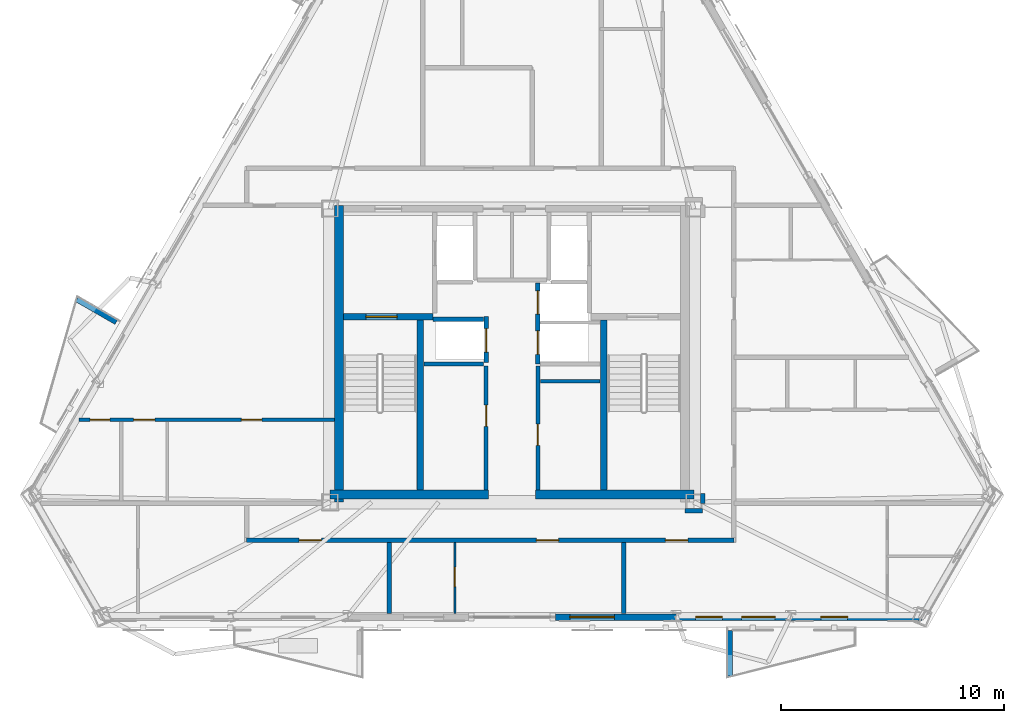
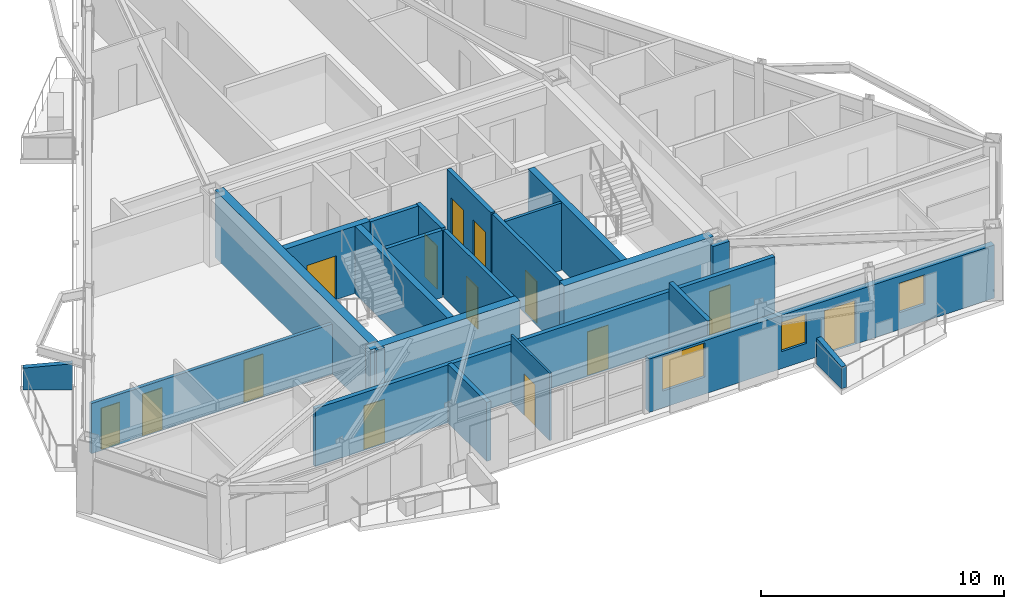
# One storey, part 6 of 12: 23 walls, 14 doors, 3 windows, 17 openings.
"""IFC4 building model written with IfcOpenShell, lengths in metres."""

from ifc_helpers import new_model, si_unit, direction, frame, frame_2d, origin, place, context, subcontext, project, spatial, polyline, rectangle, outline, extrude, material, layer, layer_set, type_object, element, fill, save


model = new_model("IFC4")

# Units and contexts
model_context = context("Model", 3, precision=1e-05, world=origin(), true_north=direction((0.0, 1.0)))
body_context = subcontext(model_context, "Body", "Model", "MODEL_VIEW")
ifc_project = project(units=[si_unit("LENGTHUNIT", "METRE"), si_unit("AREAUNIT", "SQUARE_METRE"), si_unit("VOLUMEUNIT", "CUBIC_METRE"), si_unit("PLANEANGLEUNIT", "RADIAN"), si_unit("MASSUNIT", "GRAM", prefix="KILO")], contexts=[model_context])

# Site, building, storey
site_placement = place(None, origin())
site = spatial("IfcSite", under=ifc_project, at=site_placement, CompositionType="ELEMENT")
building_placement = place(site_placement, origin())
building = spatial("IfcBuilding", under=site, at=building_placement, Name="Oramaril Tower", CompositionType="ELEMENT")
storey_placement = place(building_placement, frame((0.0, 0.0, 227.10009765625)))
storey = spatial("IfcBuildingStorey", under=building, at=storey_placement, Name="L60", CompositionType="ELEMENT", Elevation=227.10009765625)

# Wall, openings, door, windows
ifc_material_1 = material(Name="Warm Cream Limestone", Category="masonry")
ifc_layer_1 = layer(ifc_material_1, 0.2900390625)
ifc_layer_set_1 = layer_set([ifc_layer_1], Name="WT-EXT29")
wall_type_1 = type_object("IfcWallType", Name="WT-EXT29", PredefinedType="SOLIDWALL", material=ifc_layer_set_1)
wall_1_placement = place(storey_placement, frame((39.449951171875, 5.849365234375, 0.0), z_axis=(0.0, 0.0, 1.0), x_axis=(1.0, 0.0, 0.0)))
wall_1 = element("IfcWall", 1, at=wall_1_placement, inside=storey, type_object=wall_type_1, Name="L60 Tower Limestone Facade Wall 2R", PredefinedType="SOLIDWALL", context=body_context, shape_type="SweptSolid", body=[
    extrude(rectangle(XDim=16.4208984375, YDim=0.2900390625, at=frame_2d((8.21044921875, 0.0))), origin(), (0.0, 0.0, 1.0), 2.677001953125),
])
opening_1_placement = place(wall_1_placement, frame((8.341552734375, 0.0, 0.0)))
opening_1 = element("IfcOpeningElement", 2, at=opening_1_placement, cuts=wall_1, Name="Opening D-L60-BAL-S2", PredefinedType="OPENING", context=body_context, shape_type="SweptSolid", body=[
    extrude(rectangle(XDim=1.5, YDim=2.199951171875, at=frame_2d((0.75, 1.10009765625))), frame((0.0, 0.14501953125, 0.0), z_axis=(0.0, -1.0, 0.0), x_axis=(1.0, 0.0, 0.0)), (0.0, 0.0, 1.0), 0.2900390625),
])
opening_2_placement = place(wall_1_placement, frame((0.645263671875, 0.0, 0.85009765625)))
opening_2 = element("IfcOpeningElement", 3, at=opening_2_placement, cuts=wall_1, Name="Opening WN-05", PredefinedType="OPENING", context=body_context, shape_type="SweptSolid", body=[
    extrude(rectangle(XDim=2.0, YDim=1.717041015625, at=frame_2d((1.0, 0.8583984375))), frame((0.0, 0.14501953125, 0.0), z_axis=(0.0, -1.0, 0.0), x_axis=(1.0, 0.0, 0.0)), (0.0, 0.0, 1.0), 0.2900390625),
])
opening_3_placement = place(wall_1_placement, frame((6.287109375, 0.0, 0.85009765625)))
opening_3 = element("IfcOpeningElement", 4, at=opening_3_placement, cuts=wall_1, Name="Opening WN-09", PredefinedType="OPENING", context=body_context, shape_type="SweptSolid", body=[
    extrude(rectangle(XDim=1.199951171875, YDim=1.47998046875, at=frame_2d((0.60009765625, 0.739990234375))), frame((0.0, 0.14501953125, 0.0), z_axis=(0.0, -1.0, 0.0), x_axis=(1.0, 0.0, 0.0)), (0.0, 0.0, 1.0), 0.2900390625),
])
opening_4_placement = place(wall_1_placement, frame((11.902587890625, 0.0, 0.85009765625)))
opening_4 = element("IfcOpeningElement", 5, at=opening_4_placement, cuts=wall_1, Name="Opening WN-09", PredefinedType="OPENING", context=body_context, shape_type="SweptSolid", body=[
    extrude(rectangle(XDim=1.199951171875, YDim=1.47998046875, at=frame_2d((0.60009765625, 0.739990234375))), frame((0.0, 0.14501953125, 0.0), z_axis=(0.0, -1.0, 0.0), x_axis=(1.0, 0.0, 0.0)), (0.0, 0.0, 1.0), 0.2900390625),
])
ifc_material_2 = material(Name="Anodised Aluminium 6063-T6", Category="aluminium")
door_type_1 = type_object("IfcDoorType", Name="DT-BAL", OperationType="NOTDEFINED", PredefinedType="DOOR", material=ifc_material_2)
door_1_placement = place(opening_1_placement, origin())
door_1 = element("IfcDoor", 6, at=door_1_placement, inside=storey, type_object=door_type_1, Name="L60 Balcony Glazed Door L60-BAL-S2", OperationType="SINGLE_SWING_RIGHT", OverallHeight=2.199951171875, OverallWidth=1.5, PredefinedType="DOOR", context=body_context, shape_type="SweptSolid", body=[
    extrude(rectangle(XDim=1.5, YDim=2.199951171875, at=frame_2d((0.75, 1.10009765625))), frame((0.0, 0.02490234375, 0.0), z_axis=(0.0, -1.0, 0.0), x_axis=(1.0, 0.0, 0.0)), (0.0, 0.0, 1.0), 0.050048828125),
])
fill(opening_1, door_1)
ifc_material_3 = material(Name="Coastal Low-E Insulated Glass", Category="glass")
window_type_1 = type_object("IfcWindowType", Name="WNT-05", PartitioningType="SINGLE_PANEL", PredefinedType="WINDOW", material=ifc_material_3)
window_1_placement = place(opening_2_placement, origin())
window_1 = element("IfcWindow", 7, at=window_1_placement, inside=storey, type_object=window_type_1, Name="L60 Chicago Bay Window WN-05", OverallHeight=1.717041015625, OverallWidth=2.0, PartitioningType="SINGLE_PANEL", PredefinedType="WINDOW", context=body_context, shape_type="SweptSolid", body=[
    extrude(rectangle(XDim=2.0, YDim=1.717041015625, at=frame_2d((1.0, 0.8583984375))), frame((0.0, 0.030029296875, 0.0), z_axis=(0.0, -1.0, 0.0), x_axis=(1.0, 0.0, 0.0)), (0.0, 0.0, 1.0), 0.06005859375),
])
fill(opening_2, window_1)
ifc_material_4 = material(Name="Coastal Low-E Insulated Glass", Category="glass")
window_type_2 = type_object("IfcWindowType", Name="WNT-09", PartitioningType="SINGLE_PANEL", PredefinedType="WINDOW", material=ifc_material_4)
window_2_placement = place(opening_3_placement, origin())
window_2 = element("IfcWindow", 8, at=window_2_placement, inside=storey, type_object=window_type_2, Name="L60 Chicago Bay Window WN-09", OverallHeight=1.47998046875, OverallWidth=1.199951171875, PartitioningType="SINGLE_PANEL", PredefinedType="WINDOW", context=body_context, shape_type="SweptSolid", body=[
    extrude(rectangle(XDim=1.199951171875, YDim=1.47998046875, at=frame_2d((0.60009765625, 0.739990234375))), frame((0.0, 0.030029296875, 0.0), z_axis=(0.0, -1.0, 0.0), x_axis=(1.0, 0.0, 0.0)), (0.0, 0.0, 1.0), 0.06005859375),
])
fill(opening_3, window_2)
window_3_placement = place(opening_4_placement, origin())
window_3 = element("IfcWindow", 9, at=window_3_placement, inside=storey, type_object=window_type_2, Name="L60 Chicago Bay Window WN-09", OverallHeight=1.47998046875, OverallWidth=1.199951171875, PartitioningType="SINGLE_PANEL", PredefinedType="WINDOW", context=body_context, shape_type="SweptSolid", body=[
    extrude(rectangle(XDim=1.199951171875, YDim=1.47998046875, at=frame_2d((0.60009765625, 0.739990234375))), frame((0.0, 0.030029296875, 0.0), z_axis=(0.0, -1.0, 0.0), x_axis=(1.0, 0.0, 0.0)), (0.0, 0.0, 1.0), 0.06005859375),
])
fill(opening_4, window_3)

# Walls
ifc_material_5 = material(Name="Concrete C40/50", Category="concrete")
ifc_layer_2 = layer(ifc_material_5, 0.22998046875)
ifc_layer_set_2 = layer_set([ifc_layer_2], Name="WT-PRP23")
wall_type_2 = type_object("IfcWallType", Name="WT-PRP23", PredefinedType="PARAPET", material=ifc_layer_set_2)
for number, where, z_axis, x_axis, name in (
    (10, (47.2666015625, 5.251220703125, 0.0), (0.0, 0.0, 1.0), (0.0, -1.0, 0.0), "L60 Trapezoidal Balcony Frame Cheek L60-BAL-S2-L"),
    (11, (19.75732421875, 19.066162109375, 0.0), (0.0, 0.0, 1.0), (-0.866012356593, 0.500022597718, 0.0), "L60 Trapezoidal Balcony Frame Cheek L60-BAL-NW2-L"),
):
    element("IfcWall", number, at=place(storey_placement, frame(where, z_axis=z_axis, x_axis=x_axis)), inside=storey, type_object=wall_type_2, Name=name, PredefinedType="PARAPET", context=body_context, shape_type="SweptSolid", body=[
        extrude(outline(polyline([(0.0, 0.0), (2.0419921875, 0.0), (2.0419921875, 1.099853515625), (0.0, 1.31982421875), (0.0, 0.0)])), frame((0.0, 0.114990234375, 0.0), z_axis=(0.0, -1.0, 0.0), x_axis=(1.0, 0.0, 0.0)), (0.0, 0.0, 1.0), 0.22998046875),
    ])

# Wall, opening, door
ifc_material_6 = material(Name="Acoustic Gypsum Board Partition")
ifc_layer_3 = layer(ifc_material_6, 0.10009765625)
ifc_layer_set_3 = layer_set([ifc_layer_3], Name="WT-PT10")
wall_type_3 = type_object("IfcWallType", Name="WT-PT10", PredefinedType="PARTITIONING", material=ifc_layer_set_3)
wall_2_placement = place(storey_placement, frame((34.93994140625, 5.998291015625, 0.0), z_axis=(0.0, 0.0, 1.0), x_axis=(0.0, 1.0, 0.0)))
wall_2 = element("IfcWall", 12, at=wall_2_placement, inside=storey, type_object=wall_type_3, Name="L60 Interior Partition PT-10", PredefinedType="PARTITIONING", context=body_context, shape_type="SweptSolid", body=[
    extrude(rectangle(XDim=3.19775390625, YDim=0.10009765625, at=frame_2d((1.598876953125, 0.0))), origin(), (0.0, 0.0, 1.0), 3.3798828125),
])
opening_5_placement = place(wall_2_placement, frame((1.21142578125, 0.0, 0.0)))
opening_5 = element("IfcOpeningElement", 13, at=opening_5_placement, cuts=wall_2, Name="Opening D-L60-19", PredefinedType="OPENING", context=body_context, shape_type="SweptSolid", body=[
    extrude(rectangle(XDim=0.8798828125, YDim=2.080078125, at=frame_2d((0.43994140625, 1.0400390625))), frame((0.0, 0.050048828125, 0.0), z_axis=(0.0, -1.0, 0.0), x_axis=(1.0, 0.0, 0.0)), (0.0, 0.0, 1.0), 0.10009765625),
])
ifc_material_7 = material(Name="FSC Brazilian Freijo Hardwood", Category="wood")
door_type_2 = type_object("IfcDoorType", Name="DT-BATH", OperationType="NOTDEFINED", PredefinedType="DOOR", material=ifc_material_7)
door_2_placement = place(opening_5_placement, origin())
door_2 = element("IfcDoor", 14, at=door_2_placement, inside=storey, type_object=door_type_2, Name="L60 Flat L60-U2 Bathroom Door D-L60-19", OperationType="SINGLE_SWING_LEFT", OverallHeight=2.080078125, OverallWidth=0.8798828125, PredefinedType="DOOR", context=body_context, shape_type="SweptSolid", body=[
    extrude(rectangle(XDim=0.8798828125, YDim=2.080078125, at=frame_2d((0.43994140625, 1.0400390625))), frame((0.0, 0.02490234375, 0.0), z_axis=(0.0, -1.0, 0.0), x_axis=(1.0, 0.0, 0.0)), (0.0, 0.0, 1.0), 0.050048828125),
])
fill(opening_5, door_2)

# Wall
ifc_material_8 = material(Name="Acoustic Gypsum Board Partition")
ifc_layer_4 = layer(ifc_material_8, 0.139892578125)
ifc_layer_set_4 = layer_set([ifc_layer_4], Name="WT-PT14")
wall_type_4 = type_object("IfcWallType", Name="WT-PT14", PredefinedType="PARTITIONING", material=ifc_layer_set_4)
wall_3_placement = place(storey_placement, frame((38.780029296875, 16.419921875, 0.0), z_axis=(0.0, 0.0, 1.0), x_axis=(1.0, 0.0, 0.0)))
element("IfcWall", 15, at=wall_3_placement, inside=storey, type_object=wall_type_4, Name="L60 Freed Shaft North Closure", PredefinedType="PARTITIONING", context=body_context, shape_type="SweptSolid", body=[
    extrude(rectangle(XDim=2.659912109375, YDim=0.139892578125, at=frame_2d((1.330078125, 0.0))), origin(), (0.0, 0.0, 1.0), 3.3798828125),
])

# Wall, openings, doors
ifc_material_9 = material(Name="Acoustic Gypsum Board Partition")
ifc_layer_5 = layer(ifc_material_9, 0.159912109375)
ifc_layer_set_5 = layer_set([ifc_layer_5], Name="WT-PT16")
wall_type_5 = type_object("IfcWallType", Name="WT-PT16", PredefinedType="PARTITIONING", material=ifc_layer_set_5)
wall_4_placement = place(storey_placement, frame((18.093505859375, 14.68994140625, 0.0), z_axis=(0.0, 0.0, 1.0), x_axis=(1.0, 0.0, 0.0)))
wall_4 = element("IfcWall", 16, at=wall_4_placement, inside=storey, type_object=wall_type_5, Name="L60 Interior Partition PT-16", PredefinedType="PARTITIONING", context=body_context, shape_type="SweptSolid", body=[
    extrude(rectangle(XDim=11.4423828125, YDim=0.159912109375, at=frame_2d((5.72119140625, 0.0))), origin(), (0.0, 0.0, 1.0), 2.52001953125),
])
opening_6_placement = place(wall_4_placement, frame((0.4931640625, 0.0, 0.0)))
opening_6 = element("IfcOpeningElement", 17, at=opening_6_placement, cuts=wall_4, Name="Opening D-L60-04", PredefinedType="OPENING", context=body_context, shape_type="SweptSolid", body=[
    extrude(rectangle(XDim=0.8798828125, YDim=2.080078125, at=frame_2d((0.43994140625, 1.0400390625))), frame((0.0, 0.080078125, 0.0), z_axis=(0.0, -1.0, 0.0), x_axis=(1.0, 0.0, 0.0)), (0.0, 0.0, 1.0), 0.159912109375),
])
opening_7_placement = place(wall_4_placement, frame((2.443359375, 0.0, 0.0)))
opening_7 = element("IfcOpeningElement", 18, at=opening_7_placement, cuts=wall_4, Name="Opening D-L60-05", PredefinedType="OPENING", context=body_context, shape_type="SweptSolid", body=[
    extrude(rectangle(XDim=0.949951171875, YDim=2.10009765625, at=frame_2d((0.47509765625, 1.050048828125))), frame((0.0, 0.080078125, 0.0), z_axis=(0.0, -1.0, 0.0), x_axis=(1.0, 0.0, 0.0)), (0.0, 0.0, 1.0), 0.159912109375),
])
opening_8_placement = place(wall_4_placement, frame((7.27001953125, 0.0, 0.0)))
opening_8 = element("IfcOpeningElement", 19, at=opening_8_placement, cuts=wall_4, Name="Opening D-L60-06", PredefinedType="OPENING", context=body_context, shape_type="SweptSolid", body=[
    extrude(rectangle(XDim=0.919921875, YDim=2.1201171875, at=frame_2d((0.4599609375, 1.06005859375))), frame((0.0, 0.080078125, 0.0), z_axis=(0.0, -1.0, 0.0), x_axis=(1.0, 0.0, 0.0)), (0.0, 0.0, 1.0), 0.159912109375),
])
door_3_placement = place(opening_6_placement, origin())
door_3 = element("IfcDoor", 20, at=door_3_placement, inside=storey, type_object=door_type_2, Name="L60 Flat L60-U4 Bathroom Door D-L60-04", OperationType="SINGLE_SWING_RIGHT", OverallHeight=2.080078125, OverallWidth=0.8798828125, PredefinedType="DOOR", context=body_context, shape_type="SweptSolid", body=[
    extrude(rectangle(XDim=0.8798828125, YDim=2.080078125, at=frame_2d((0.43994140625, 1.0400390625))), frame((0.0, 0.02490234375, 0.0), z_axis=(0.0, -1.0, 0.0), x_axis=(1.0, 0.0, 0.0)), (0.0, 0.0, 1.0), 0.050048828125),
])
fill(opening_6, door_3)
ifc_material_10 = material(Name="FSC Brazilian Freijo Hardwood", Category="wood")
door_type_3 = type_object("IfcDoorType", Name="DT-BED", OperationType="NOTDEFINED", PredefinedType="DOOR", material=ifc_material_10)
door_4_placement = place(opening_8_placement, origin())
door_4 = element("IfcDoor", 21, at=door_4_placement, inside=storey, type_object=door_type_3, Name="L60 Flat L60-U4 Master Bedroom Door D-L60-06", OperationType="SINGLE_SWING_RIGHT", OverallHeight=2.1201171875, OverallWidth=0.919921875, PredefinedType="DOOR", context=body_context, shape_type="SweptSolid", body=[
    extrude(rectangle(XDim=0.919921875, YDim=2.1201171875, at=frame_2d((0.4599609375, 1.06005859375))), frame((0.0, 0.02490234375, 0.0), z_axis=(0.0, -1.0, 0.0), x_axis=(1.0, 0.0, 0.0)), (0.0, 0.0, 1.0), 0.050048828125),
])
fill(opening_8, door_4)
ifc_material_11 = material(Name="FSC Brazilian Freijo Hardwood", Category="wood")
door_type_4 = type_object("IfcDoorType", Name="DT-STDY", OperationType="NOTDEFINED", PredefinedType="DOOR", material=ifc_material_11)
door_5_placement = place(opening_7_placement, origin())
door_5 = element("IfcDoor", 22, at=door_5_placement, inside=storey, type_object=door_type_4, Name="L60 Flat L60-U4 Kitchen Door D-L60-05", OperationType="SINGLE_SWING_LEFT", OverallHeight=2.10009765625, OverallWidth=0.949951171875, PredefinedType="DOOR", context=body_context, shape_type="SweptSolid", body=[
    extrude(rectangle(XDim=0.949951171875, YDim=2.10009765625, at=frame_2d((0.47509765625, 1.050048828125))), frame((0.0, 0.02490234375, 0.0), z_axis=(0.0, -1.0, 0.0), x_axis=(1.0, 0.0, 0.0)), (0.0, 0.0, 1.0), 0.050048828125),
])
fill(opening_7, door_5)

# Walls
ifc_material_12 = material(Name="Autoclaved Cellular Concrete Block", Category="concrete")
ifc_layer_6 = layer(ifc_material_12, 0.179931640625)
ifc_layer_set_6 = layer_set([ifc_layer_6], Name="WT-PT18")
wall_type_6 = type_object("IfcWallType", Name="WT-PT18", PredefinedType="PARTITIONING", material=ifc_layer_set_6)
wall_5_placement = place(storey_placement, frame((33.949951171875, 19.199951171875, 0.0), z_axis=(0.0, 0.0, 1.0), x_axis=(1.0, 0.0, 0.0)))
element("IfcWall", 23, at=wall_5_placement, inside=storey, type_object=wall_type_6, Name="L60 High-Rise Lift H1 North Shaft Wall", PredefinedType="PARTITIONING", context=body_context, shape_type="SweptSolid", body=[
    extrude(rectangle(XDim=2.27001953125, YDim=0.179931640625, at=frame_2d((1.135009765625, 0.0))), origin(), (0.0, 0.0, 1.0), 3.3798828125),
])
wall_6_placement = place(storey_placement, frame((33.56005859375, 17.199951171875, 0.0), z_axis=(0.0, 0.0, 1.0), x_axis=(1.0, 0.0, 0.0)))
element("IfcWall", 24, at=wall_6_placement, inside=storey, type_object=wall_type_6, Name="L60 High-Rise Lift H1 South Wall", PredefinedType="PARTITIONING", context=body_context, shape_type="SweptSolid", body=[
    extrude(rectangle(XDim=2.659912109375, YDim=0.179931640625, at=frame_2d((1.330078125, 0.0))), origin(), (0.0, 0.0, 1.0), 3.3798828125),
])

# Wall, opening, door
wall_7_placement = place(storey_placement, frame((36.340087890625, 11.550048828125, 0.0), z_axis=(0.0, 0.0, 1.0), x_axis=(0.0, 1.0, 0.0)))
wall_7 = element("IfcWall", 25, at=wall_7_placement, inside=storey, type_object=wall_type_6, Name="L60 Freed Shaft Study East Wall", PredefinedType="PARTITIONING", context=body_context, shape_type="SweptSolid", body=[
    extrude(rectangle(XDim=5.550048828125, YDim=0.179931640625, at=frame_2d((2.77490234375, 0.0))), origin(), (0.0, 0.0, 1.0), 3.3798828125),
])
opening_9_placement = place(wall_7_placement, frame((2.85009765625, 0.0, 0.0)))
opening_9 = element("IfcOpeningElement", 26, at=opening_9_placement, cuts=wall_7, Name="Opening D-L60-FL1", PredefinedType="OPENING", context=body_context, shape_type="SweptSolid", body=[
    extrude(rectangle(XDim=0.949951171875, YDim=2.10009765625, at=frame_2d((0.47509765625, 1.050048828125))), frame((0.0, 0.08984375, 0.0), z_axis=(0.0, -1.0, 0.0), x_axis=(1.0, 0.0, 0.0)), (0.0, 0.0, 1.0), 0.179931640625),
])
door_6_placement = place(opening_9_placement, origin())
door_6 = element("IfcDoor", 27, at=door_6_placement, inside=storey, type_object=door_type_4, Name="L60 L60 Residents Study Alcove Door", OperationType="SINGLE_SWING_LEFT", OverallHeight=2.10009765625, OverallWidth=0.949951171875, PredefinedType="DOOR", context=body_context, shape_type="SweptSolid", body=[
    extrude(rectangle(XDim=0.949951171875, YDim=2.10009765625, at=frame_2d((0.47509765625, 1.050048828125))), frame((0.0, 0.02490234375, 0.0), z_axis=(0.0, -1.0, 0.0), x_axis=(1.0, 0.0, 0.0)), (0.0, 0.0, 1.0), 0.050048828125),
])
fill(opening_9, door_6)

wall_8_placement = place(storey_placement, frame((38.659912109375, 11.550048828125, 0.0), z_axis=(0.0, 0.0, 1.0), x_axis=(0.0, 1.0, 0.0)))
wall_8 = element("IfcWall", 28, at=wall_8_placement, inside=storey, type_object=wall_type_6, Name="L60 Freed Shaft Alcove West Wall", PredefinedType="PARTITIONING", context=body_context, shape_type="SweptSolid", body=[
    extrude(rectangle(XDim=5.550048828125, YDim=0.179931640625, at=frame_2d((2.77490234375, 0.0))), origin(), (0.0, 0.0, 1.0), 3.3798828125),
])
opening_10_placement = place(wall_8_placement, frame((2.0, 0.0, 0.0)))
opening_10 = element("IfcOpeningElement", 29, at=opening_10_placement, cuts=wall_8, Name="Opening D-L60-FM1", PredefinedType="OPENING", context=body_context, shape_type="SweptSolid", body=[
    extrude(rectangle(XDim=0.949951171875, YDim=2.10009765625, at=frame_2d((0.47509765625, 1.050048828125))), frame((0.0, 0.08984375, 0.0), z_axis=(0.0, -1.0, 0.0), x_axis=(1.0, 0.0, 0.0)), (0.0, 0.0, 1.0), 0.179931640625),
])
door_7_placement = place(opening_10_placement, origin())
door_7 = element("IfcDoor", 30, at=door_7_placement, inside=storey, type_object=door_type_4, Name="L60 L60 Sky Reading Room Door", OperationType="SINGLE_SWING_RIGHT", OverallHeight=2.10009765625, OverallWidth=0.949951171875, PredefinedType="DOOR", context=body_context, shape_type="SweptSolid", body=[
    extrude(rectangle(XDim=0.949951171875, YDim=2.10009765625, at=frame_2d((0.47509765625, 1.050048828125))), frame((0.0, 0.02490234375, 0.0), z_axis=(0.0, -1.0, 0.0), x_axis=(1.0, 0.0, 0.0)), (0.0, 0.0, 1.0), 0.050048828125),
])
fill(opening_10, door_7)

# Wall, openings, doors
ifc_material_13 = material(Name="Autoclaved Cellular Concrete Block", Category="concrete")
ifc_layer_7 = layer(ifc_material_13, 0.199951171875)
ifc_layer_set_7 = layer_set([ifc_layer_7], Name="WT-PT20")
wall_type_7 = type_object("IfcWallType", Name="WT-PT20", PredefinedType="PARTITIONING", material=ifc_layer_set_7)
wall_9_placement = place(storey_placement, frame((25.60009765625, 9.300048828125, 0.0), z_axis=(0.0, 0.0, 1.0), x_axis=(1.0, 0.0, 0.0)))
wall_9 = element("IfcWall", 31, at=wall_9_placement, inside=storey, type_object=wall_type_7, Name="L60 Interior Partition PT-20", PredefinedType="PARTITIONING", context=body_context, shape_type="SweptSolid", body=[
    extrude(rectangle(XDim=21.849853515625, YDim=0.199951171875, at=frame_2d((10.9248046875, 0.0))), origin(), (0.0, 0.0, 1.0), 2.912841796875),
])
opening_11_placement = place(wall_9_placement, frame((2.352294921875, 0.0, 0.0)))
opening_11 = element("IfcOpeningElement", 32, at=opening_11_placement, cuts=wall_9, Name="Opening D-L60-01", PredefinedType="OPENING", context=body_context, shape_type="SweptSolid", body=[
    extrude(rectangle(XDim=1.0, YDim=2.179931640625, at=frame_2d((0.5, 1.08984375))), frame((0.0, 0.10009765625, 0.0), z_axis=(0.0, -1.0, 0.0), x_axis=(1.0, 0.0, 0.0)), (0.0, 0.0, 1.0), 0.199951171875),
])
opening_12_placement = place(wall_9_placement, frame((12.989990234375, 0.0, 0.0)))
opening_12 = element("IfcOpeningElement", 33, at=opening_12_placement, cuts=wall_9, Name="Opening D-L60-02", PredefinedType="OPENING", context=body_context, shape_type="SweptSolid", body=[
    extrude(rectangle(XDim=1.0, YDim=2.179931640625, at=frame_2d((0.5, 1.08984375))), frame((0.0, 0.10009765625, 0.0), z_axis=(0.0, -1.0, 0.0), x_axis=(1.0, 0.0, 0.0)), (0.0, 0.0, 1.0), 0.199951171875),
])
opening_13_placement = place(wall_9_placement, frame((18.77978515625, 0.0, 0.0)))
opening_13 = element("IfcOpeningElement", 34, at=opening_13_placement, cuts=wall_9, Name="Opening D-L60-03", PredefinedType="OPENING", context=body_context, shape_type="SweptSolid", body=[
    extrude(rectangle(XDim=1.0, YDim=2.179931640625, at=frame_2d((0.5, 1.08984375))), frame((0.0, 0.10009765625, 0.0), z_axis=(0.0, -1.0, 0.0), x_axis=(1.0, 0.0, 0.0)), (0.0, 0.0, 1.0), 0.199951171875),
])
ifc_material_14 = material(Name="FSC Brazilian Freijo Hardwood", Category="wood")
door_type_5 = type_object("IfcDoorType", Name="DT-APT", OperationType="NOTDEFINED", PredefinedType="DOOR", material=ifc_material_14)
door_8_placement = place(opening_11_placement, origin())
door_8 = element("IfcDoor", 35, at=door_8_placement, inside=storey, type_object=door_type_5, Name="L60 Flat L60-U1 Kitchen and Studio Apartment Door D-L60-01", OperationType="SINGLE_SWING_LEFT", OverallHeight=2.179931640625, OverallWidth=1.0, PredefinedType="DOOR", context=body_context, shape_type="SweptSolid", body=[
    extrude(rectangle(XDim=1.0, YDim=2.179931640625, at=frame_2d((0.5, 1.08984375))), frame((0.0, 0.02490234375, 0.0), z_axis=(0.0, -1.0, 0.0), x_axis=(1.0, 0.0, 0.0)), (0.0, 0.0, 1.0), 0.050048828125),
])
fill(opening_11, door_8)
door_9_placement = place(opening_12_placement, origin())
door_9 = element("IfcDoor", 36, at=door_9_placement, inside=storey, type_object=door_type_5, Name="L60 Flat L60-U2 Kitchen and Studio Apartment Door D-L60-02", OperationType="SINGLE_SWING_RIGHT", OverallHeight=2.179931640625, OverallWidth=1.0, PredefinedType="DOOR", context=body_context, shape_type="SweptSolid", body=[
    extrude(rectangle(XDim=1.0, YDim=2.179931640625, at=frame_2d((0.5, 1.08984375))), frame((0.0, 0.02490234375, 0.0), z_axis=(0.0, -1.0, 0.0), x_axis=(1.0, 0.0, 0.0)), (0.0, 0.0, 1.0), 0.050048828125),
])
fill(opening_12, door_9)
door_10_placement = place(opening_13_placement, origin())
door_10 = element("IfcDoor", 37, at=door_10_placement, inside=storey, type_object=door_type_5, Name="L60 Flat L60-U3 Studio Apartment Door D-L60-03", OperationType="SINGLE_SWING_LEFT", OverallHeight=2.179931640625, OverallWidth=1.0, PredefinedType="DOOR", context=body_context, shape_type="SweptSolid", body=[
    extrude(rectangle(XDim=1.0, YDim=2.179931640625, at=frame_2d((0.5, 1.08984375))), frame((0.0, 0.02490234375, 0.0), z_axis=(0.0, -1.0, 0.0), x_axis=(1.0, 0.0, 0.0)), (0.0, 0.0, 1.0), 0.050048828125),
])
fill(opening_13, door_10)

# Walls
wall_10_placement = place(storey_placement, frame((45.260009765625, 10.610107421875, 0.0), z_axis=(0.0, 0.0, 1.0), x_axis=(1.0, 0.0, 0.0)))
element("IfcWall", 38, at=wall_10_placement, inside=storey, type_object=wall_type_7, Name="L60 Interior Partition PT-20", PredefinedType="PARTITIONING", context=body_context, shape_type="SweptSolid", body=[
    extrude(rectangle(XDim=0.780029296875, YDim=0.199951171875, at=frame_2d((0.39013671875, 0.0))), origin(), (0.0, 0.0, 1.0), 3.3798828125),
])
wall_11_placement = place(storey_placement, frame((32.0, 5.998291015625, 0.0), z_axis=(0.0, 0.0, 1.0), x_axis=(0.0, 1.0, 0.0)))
element("IfcWall", 39, at=wall_11_placement, inside=storey, type_object=wall_type_7, Name="L60 Interior Partition PT-20", PredefinedType="PARTITIONING", context=body_context, shape_type="SweptSolid", body=[
    extrude(rectangle(XDim=3.19775390625, YDim=0.199951171875, at=frame_2d((1.598876953125, 0.0))), origin(), (0.0, 0.0, 1.0), 2.9658203125),
])
wall_12_placement = place(storey_placement, frame((42.5, 5.998291015625, 0.0), z_axis=(0.0, 0.0, 1.0), x_axis=(0.0, 1.0, 0.0)))
element("IfcWall", 40, at=wall_12_placement, inside=storey, type_object=wall_type_7, Name="L60 Interior Partition PT-20", PredefinedType="PARTITIONING", context=body_context, shape_type="SweptSolid", body=[
    extrude(rectangle(XDim=3.19775390625, YDim=0.199951171875, at=frame_2d((1.598876953125, 0.0))), origin(), (0.0, 0.0, 1.0), 3.3798828125),
])
wall_13_placement = place(storey_placement, frame((46.050048828125, 10.949951171875, 0.0), z_axis=(0.0, 0.0, 1.0), x_axis=(0.0, 1.0, 0.0)))
element("IfcWall", 41, at=wall_13_placement, inside=storey, type_object=wall_type_7, Name="L60 Interior Partition PT-20", PredefinedType="PARTITIONING", context=body_context, shape_type="SweptSolid", body=[
    extrude(rectangle(XDim=0.445068359375, YDim=0.199951171875, at=frame_2d((0.22265625, 0.0))), origin(), (0.0, 0.0, 1.0), 2.912841796875),
])

# Wall, opening, door
ifc_material_15 = material(Name="Concrete C50/60", Category="concrete")
ifc_layer_8 = layer(ifc_material_15, 0.300048828125)
ifc_layer_set_8 = layer_set([ifc_layer_8], Name="WT-SH30")
wall_type_8 = type_object("IfcWallType", Name="WT-SH30", PredefinedType="SHEAR", material=ifc_layer_set_8)
wall_14_placement = place(storey_placement, frame((29.93994140625, 19.31005859375, 0.0), z_axis=(0.0, 0.0, 1.0), x_axis=(1.0, 0.0, 0.0)))
wall_14 = element("IfcWall", 42, at=wall_14_placement, inside=storey, type_object=wall_type_8, Name="L60 Core Shear Wall CW-ST1N", PredefinedType="SHEAR", context=body_context, shape_type="SweptSolid", body=[
    extrude(rectangle(XDim=4.010009765625, YDim=0.300048828125, at=frame_2d((2.0048828125, 0.0))), origin(), (0.0, 0.0, 1.0), 3.3798828125),
])
opening_14_placement = place(wall_14_placement, frame((1.010009765625, 0.0, 0.0)))
opening_14 = element("IfcOpeningElement", 43, at=opening_14_placement, cuts=wall_14, Name="Opening D-L60-ST1", PredefinedType="OPENING", context=body_context, shape_type="SweptSolid", body=[
    extrude(rectangle(XDim=1.39990234375, YDim=2.199951171875, at=frame_2d((0.699951171875, 1.10009765625))), frame((0.0, 0.14990234375, 0.0), z_axis=(0.0, -1.0, 0.0), x_axis=(1.0, 0.0, 0.0)), (0.0, 0.0, 1.0), 0.300048828125),
])
ifc_material_16 = material(Name="Painted Galvanised Steel", Category="steel")
door_type_6 = type_object("IfcDoorType", Name="DT-ST", OperationType="NOTDEFINED", PredefinedType="DOOR", material=ifc_material_16)
door_11_placement = place(opening_14_placement, origin())
door_11 = element("IfcDoor", 44, at=door_11_placement, inside=storey, type_object=door_type_6, Name="L60 Protected Stair ST-1 Fire Door", OperationType="SINGLE_SWING_LEFT", OverallHeight=2.199951171875, OverallWidth=1.39990234375, PredefinedType="DOOR", context=body_context, shape_type="SweptSolid", body=[
    extrude(rectangle(XDim=1.39990234375, YDim=2.199951171875, at=frame_2d((0.699951171875, 1.10009765625))), frame((0.0, 0.02490234375, 0.0), z_axis=(0.0, -1.0, 0.0), x_axis=(1.0, 0.0, 0.0)), (0.0, 0.0, 1.0), 0.050048828125),
])
fill(opening_14, door_11)

# Walls
for number, where, z_axis, x_axis, name in (
    (45, (33.3798828125, 11.5400390625, 0.0), (0.0, 0.0, 1.0), (0.0, 1.0, 0.0), "L60 Core Shear Wall CW-ST1E"),
    (46, (41.6201171875, 11.5400390625, 0.0), (0.0, 0.0, 1.0), (0.0, 1.0, 0.0), "L60 Core Shear Wall CW-ST2W"),
):
    element("IfcWall", number, at=place(storey_placement, frame(where, z_axis=z_axis, x_axis=x_axis)), inside=storey, type_object=wall_type_8, Name=name, PredefinedType="SHEAR", context=body_context, shape_type="SweptSolid", body=[
        extrude(rectangle(XDim=7.619873046875, YDim=0.300048828125, at=frame_2d((3.81005859375, 0.0))), origin(), (0.0, 0.0, 1.0), 3.3798828125),
    ])
ifc_material_17 = material(Name="Concrete C50/60", Category="concrete")
ifc_layer_9 = layer(ifc_material_17, 0.39990234375)
ifc_layer_set_9 = layer_set([ifc_layer_9], Name="WT-SH40")
wall_type_9 = type_object("IfcWallType", Name="WT-SH40", PredefinedType="SHEAR", material=ifc_layer_set_9)
wall_15_placement = place(storey_placement, frame((29.739990234375, 11.0, 0.0), z_axis=(0.0, 0.0, 1.0), x_axis=(0.0, 1.0, 0.0)))
element("IfcWall", 47, at=wall_15_placement, inside=storey, type_object=wall_type_9, Name="L60 Core Shear Wall CW-W", PredefinedType="SHEAR", context=body_context, shape_type="SweptSolid", body=[
    extrude(rectangle(XDim=13.300048828125, YDim=0.39990234375, at=frame_2d((6.64990234375, 0.0))), origin(), (0.0, 0.0, 1.0), 3.3798828125),
])
for number, where, z_axis, x_axis, name in (
    (48, (29.35009765625, 11.340087890625, 0.0), (0.0, 0.0, 1.0), (1.0, 0.0, 0.0), "L60 Core Shear Wall CW-SW"),
    (49, (38.550048828125, 11.340087890625, 0.0), (0.0, 0.0, 1.0), (1.0, 0.0, 0.0), "L60 Core Shear Wall CW-SE"),
):
    element("IfcWall", number, at=place(storey_placement, frame(where, z_axis=z_axis, x_axis=x_axis)), inside=storey, type_object=wall_type_9, Name=name, PredefinedType="SHEAR", context=body_context, shape_type="SweptSolid", body=[
        extrude(rectangle(XDim=7.099853515625, YDim=0.39990234375, at=frame_2d((3.5498046875, 0.0))), origin(), (0.0, 0.0, 1.0), 3.3798828125),
    ])

# Wall, opening, door
ifc_material_18 = material(Name="Autoclaved Cellular Concrete Block", Category="concrete")
ifc_layer_10 = layer(ifc_material_18, 0.199951171875)
ifc_layer_set_10 = layer_set([ifc_layer_10], Name="WT-SHF20")
wall_type_10 = type_object("IfcWallType", Name="WT-SHF20", PredefinedType="PARTITIONING", material=ifc_layer_set_10)
wall_16_placement = place(storey_placement, frame((36.340087890625, 17.25, 0.0), z_axis=(0.0, 0.0, 1.0), x_axis=(0.0, 1.0, 0.0)))
wall_16 = element("IfcWall", 50, at=wall_16_placement, inside=storey, type_object=wall_type_10, Name="L60 High-Rise Lift H1 Front Wall", PredefinedType="PARTITIONING", context=body_context, shape_type="SweptSolid", body=[
    extrude(rectangle(XDim=2.070068359375, YDim=0.199951171875, at=frame_2d((1.03515625, 0.0))), origin(), (0.0, 0.0, 1.0), 3.3798828125),
])
opening_15_placement = place(wall_16_placement, frame((0.47509765625, 0.0, 0.0)))
opening_15 = element("IfcOpeningElement", 51, at=opening_15_placement, cuts=wall_16, Name="Opening LD-L60-LP-H1", PredefinedType="OPENING", context=body_context, shape_type="SweptSolid", body=[
    extrude(rectangle(XDim=1.050048828125, YDim=2.14990234375, at=frame_2d((0.52490234375, 1.074951171875))), frame((0.0, 0.10009765625, 0.0), z_axis=(0.0, -1.0, 0.0), x_axis=(1.0, 0.0, 0.0)), (0.0, 0.0, 1.0), 0.199951171875),
])
ifc_material_19 = material(Name="Stainless Steel 316L", Category="steel")
door_type_7 = type_object("IfcDoorType", Name="DT-LD2", OperationType="NOTDEFINED", PredefinedType="DOOR", material=ifc_material_19)
door_12_placement = place(opening_15_placement, origin())
door_12 = element("IfcDoor", 52, at=door_12_placement, inside=storey, type_object=door_type_7, Name="L60 Lift LP-H1 Sliding Landing Door", OperationType="SLIDING_TO_LEFT", OverallHeight=2.14990234375, OverallWidth=1.050048828125, PredefinedType="DOOR", context=body_context, shape_type="SweptSolid", body=[
    extrude(rectangle(XDim=1.050048828125, YDim=2.14990234375, at=frame_2d((0.52490234375, 1.074951171875))), frame((0.0, 0.02490234375, 0.0), z_axis=(0.0, -1.0, 0.0), x_axis=(1.0, 0.0, 0.0)), (0.0, 0.0, 1.0), 0.050048828125),
])
fill(opening_15, door_12)

# Wall, openings, doors
wall_17_placement = place(storey_placement, frame((38.659912109375, 17.199951171875, 0.0), z_axis=(0.0, 0.0, 1.0), x_axis=(0.0, 1.0, 0.0)))
wall_17 = element("IfcWall", 53, at=wall_17_placement, inside=storey, type_object=wall_type_10, Name="L60 High-Rise Lift H2-H3 Front Wall", PredefinedType="PARTITIONING", context=body_context, shape_type="SweptSolid", body=[
    extrude(rectangle(XDim=3.6201171875, YDim=0.199951171875, at=frame_2d((1.81005859375, 0.0))), origin(), (0.0, 0.0, 1.0), 3.3798828125),
])
opening_16_placement = place(wall_17_placement, frame((0.425048828125, 0.0, 0.0)))
opening_16 = element("IfcOpeningElement", 54, at=opening_16_placement, cuts=wall_17, Name="Opening LD-L60-LP-H2", PredefinedType="OPENING", context=body_context, shape_type="SweptSolid", body=[
    extrude(rectangle(XDim=1.050048828125, YDim=2.14990234375, at=frame_2d((0.52490234375, 1.074951171875))), frame((0.0, 0.10009765625, 0.0), z_axis=(0.0, -1.0, 0.0), x_axis=(1.0, 0.0, 0.0)), (0.0, 0.0, 1.0), 0.199951171875),
])
opening_17_placement = place(wall_17_placement, frame((2.22509765625, 0.0, 0.0)))
opening_17 = element("IfcOpeningElement", 55, at=opening_17_placement, cuts=wall_17, Name="Opening LD-L60-LP-H3", PredefinedType="OPENING", context=body_context, shape_type="SweptSolid", body=[
    extrude(rectangle(XDim=1.050048828125, YDim=2.14990234375, at=frame_2d((0.52490234375, 1.074951171875))), frame((0.0, 0.10009765625, 0.0), z_axis=(0.0, -1.0, 0.0), x_axis=(1.0, 0.0, 0.0)), (0.0, 0.0, 1.0), 0.199951171875),
])
door_13_placement = place(opening_16_placement, origin())
door_13 = element("IfcDoor", 56, at=door_13_placement, inside=storey, type_object=door_type_7, Name="L60 Lift LP-H2 Sliding Landing Door", OperationType="SLIDING_TO_RIGHT", OverallHeight=2.14990234375, OverallWidth=1.050048828125, PredefinedType="DOOR", context=body_context, shape_type="SweptSolid", body=[
    extrude(rectangle(XDim=1.050048828125, YDim=2.14990234375, at=frame_2d((0.52490234375, 1.074951171875))), frame((0.0, 0.02490234375, 0.0), z_axis=(0.0, -1.0, 0.0), x_axis=(1.0, 0.0, 0.0)), (0.0, 0.0, 1.0), 0.050048828125),
])
fill(opening_16, door_13)
door_14_placement = place(opening_17_placement, origin())
door_14 = element("IfcDoor", 57, at=door_14_placement, inside=storey, type_object=door_type_7, Name="L60 Lift LP-H3 Sliding Landing Door", OperationType="SLIDING_TO_LEFT", OverallHeight=2.14990234375, OverallWidth=1.050048828125, PredefinedType="DOOR", context=body_context, shape_type="SweptSolid", body=[
    extrude(rectangle(XDim=1.050048828125, YDim=2.14990234375, at=frame_2d((0.52490234375, 1.074951171875))), frame((0.0, 0.02490234375, 0.0), z_axis=(0.0, -1.0, 0.0), x_axis=(1.0, 0.0, 0.0)), (0.0, 0.0, 1.0), 0.050048828125),
])
fill(opening_17, door_14)

save(model, "model.ifc")
